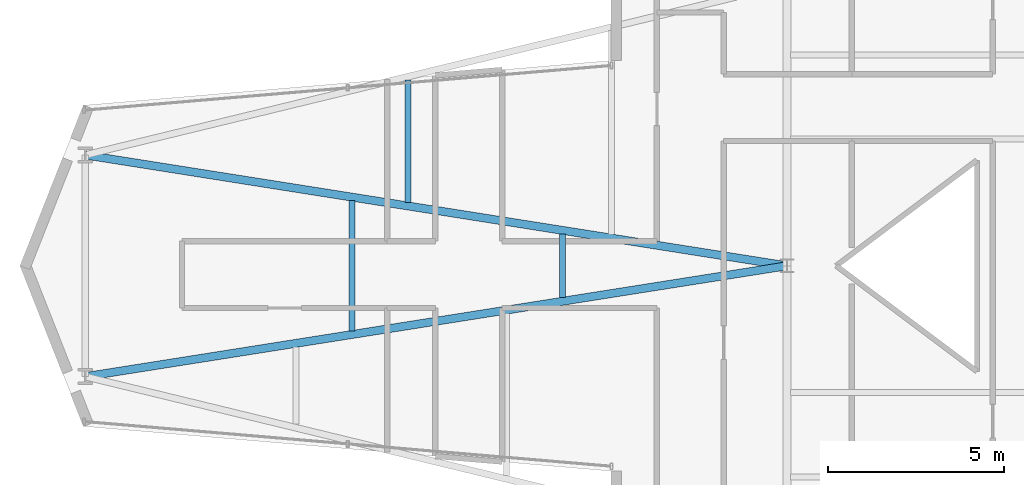
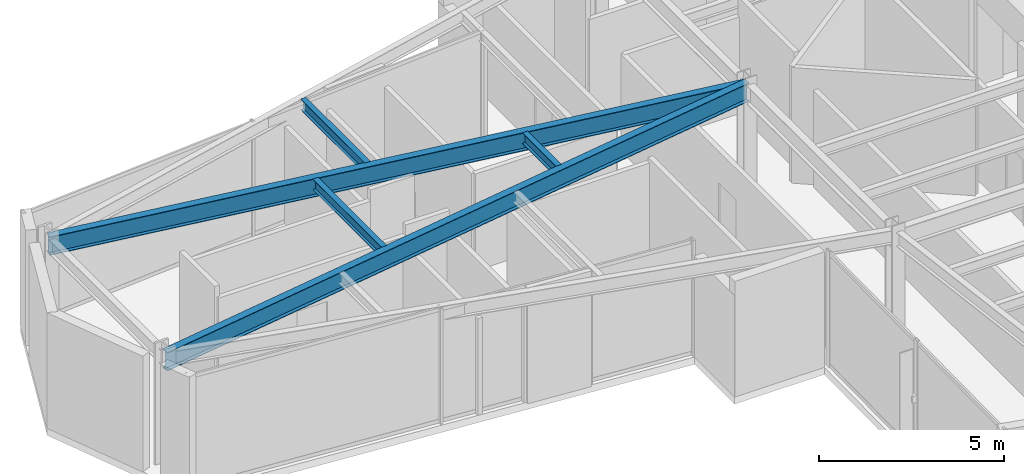
# One storey, part 7 of 25: 5 beams.
"""IFC4 building model written with IfcOpenShell, lengths in metres."""

from ifc_helpers import new_model, si_unit, direction, frame, origin, origin_2d, place, context, subcontext, project, spatial, i_section, extrude, material, material_profile, profile_set, type_object, element, save


model = new_model("IFC4")

# Units and contexts
model_context = context("Model", 3, precision=1e-05, world=origin(), true_north=direction((0.0, 1.0)))
body_context = subcontext(model_context, "Body", "Model", "MODEL_VIEW")
ifc_project = project(units=[si_unit("LENGTHUNIT", "METRE"), si_unit("AREAUNIT", "SQUARE_METRE"), si_unit("VOLUMEUNIT", "CUBIC_METRE"), si_unit("PLANEANGLEUNIT", "RADIAN"), si_unit("MASSUNIT", "GRAM", prefix="KILO")], contexts=[model_context])

# Site, building, storey
site_placement = place(None, origin())
site = spatial("IfcSite", under=ifc_project, at=site_placement, CompositionType="ELEMENT")
building_placement = place(site_placement, origin())
building = spatial("IfcBuilding", under=site, at=building_placement, Name="Veymaron Broadcast Tower", CompositionType="ELEMENT")
storey_placement = place(building_placement, frame((0.0, 0.0, 141.14990234375)))
storey = spatial("IfcBuildingStorey", under=building, at=storey_placement, Name="L32", CompositionType="ELEMENT", Elevation=141.14990234375)

# Beams
ifc_material = material(Name="Structural steel ASTM A992 Gr 50", Category="steel")
ifc_material_profile_1 = material_profile(ifc_material, i_section(OverallWidth=0.22802734375, OverallDepth=0.60791015625, WebThickness=0.01123046875, FlangeThickness=0.017333984375, at=origin_2d()), Name="W610X113")
ifc_profile_set_1 = profile_set([ifc_material_profile_1], Name="Structural steel ASTM A992 Gr 50")
beam_type_1 = type_object("IfcBeamType", Name="BM-FG2", PredefinedType="BEAM", material=ifc_profile_set_1)
for number, where, z_axis, x_axis, name in (
    (1, (11.25, 20.85009765625, 3.506103515625), (0.98776365139, 0.155958228358, 0.0), (-0.155958228358, 0.98776365139, 0.0), "L32 primary structural floor girder"),
    (2, (11.25, 27.14990234375, 3.506103515625), (0.98776365139, -0.155958228358, 0.0), (0.155958228358, 0.98776365139, 0.0), "L32 primary structural floor girder"),
):
    element("IfcBeam", number, at=place(storey_placement, frame(where, z_axis=z_axis, x_axis=x_axis)), inside=storey, type_object=beam_type_1, Name=name, PredefinedType="BEAM", context=body_context, shape_type="SweptSolid", body=[
        extrude(i_section(OverallWidth=0.22802734375, OverallDepth=0.60791015625, WebThickness=0.01123046875, FlangeThickness=0.017333984375, at=origin_2d()), origin(), (0.0, 0.0, 1.0), 20.197021484375),
    ])
ifc_material_profile_2 = material_profile(ifc_material, i_section(OverallWidth=0.1708984375, OverallDepth=0.35498046875, WebThickness=0.007080078125, FlangeThickness=0.01171875, at=origin_2d()), Name="W360X51")
ifc_profile_set_2 = profile_set([ifc_material_profile_2], Name="Structural steel ASTM A992 Gr 50")
beam_type_2 = type_object("IfcBeamType", Name="BM-JS2", PredefinedType="JOIST", material=ifc_profile_set_2)
beam_1_placement = place(storey_placement, frame((18.8310546875, 22.14697265625, 3.632568359375), z_axis=(0.0, 1.0, 0.0), x_axis=(-1.0, 0.0, 0.0)))
element("IfcBeam", 3, at=beam_1_placement, inside=storey, type_object=beam_type_2, Name="L32 Arm-A secondary joist 1M", PredefinedType="JOIST", context=body_context, shape_type="SweptSolid", body=[
    extrude(i_section(OverallWidth=0.1708984375, OverallDepth=0.35498046875, WebThickness=0.007080078125, FlangeThickness=0.01171875, at=origin_2d()), origin(), (0.0, 0.0, 1.0), 3.7060546875),
])
beam_2_placement = place(storey_placement, frame((20.427001953125, 25.801025390625, 3.632568359375), z_axis=(0.0, 1.0, 0.0), x_axis=(-1.0, 0.0, 0.0)))
element("IfcBeam", 4, at=beam_2_placement, inside=storey, type_object=beam_type_2, Name="L32 Arm-A secondary joist 1N", PredefinedType="JOIST", context=body_context, shape_type="SweptSolid", body=[
    extrude(i_section(OverallWidth=0.1708984375, OverallDepth=0.35498046875, WebThickness=0.007080078125, FlangeThickness=0.01171875, at=origin_2d()), origin(), (0.0, 0.0, 1.0), 3.47998046875),
])
beam_3_placement = place(storey_placement, frame((24.81591796875, 23.092041015625, 3.632568359375), z_axis=(0.0, 1.0, 0.0), x_axis=(-1.0, 0.0, 0.0)))
element("IfcBeam", 5, at=beam_3_placement, inside=storey, type_object=beam_type_2, Name="L32 Arm-A secondary joist 2M", PredefinedType="JOIST", context=body_context, shape_type="SweptSolid", body=[
    extrude(i_section(OverallWidth=0.1708984375, OverallDepth=0.35498046875, WebThickness=0.007080078125, FlangeThickness=0.01171875, at=origin_2d()), origin(), (0.0, 0.0, 1.0), 1.81591796875),
])

save(model, "model.ifc")
